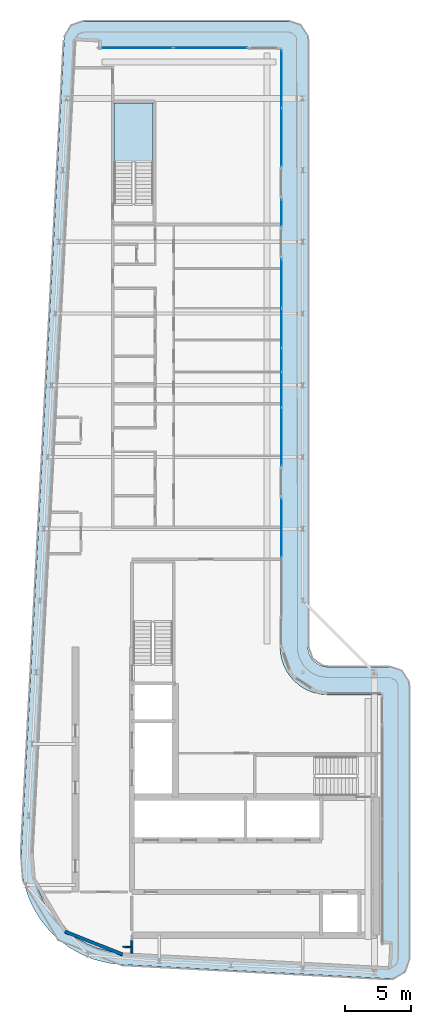
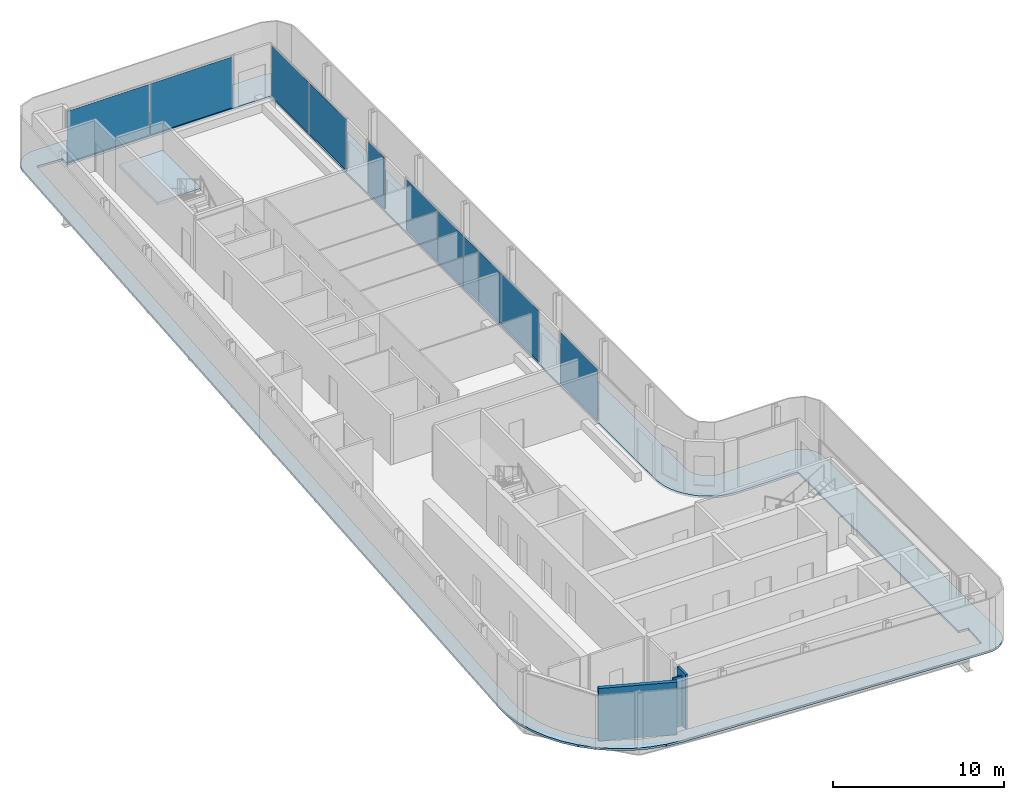
# One storey, part 8 of 19: 11 plates, 3 walls, 2 slabs, 7 elements without a shape of their own.
"""IFC4 building model written with IfcOpenShell, lengths in metres."""

from ifc_helpers import new_model, si_unit, direction, frame, frame_2d, origin, origin_2d, place, context, subcontext, project, spatial, polyline, rectangle, outline, extrude, material, layer, layer_set, type_object, element, aggregate, save


model = new_model("IFC4")

# Units and contexts
model_context = context("Model", 3, precision=1e-05, world=origin(), true_north=direction((0.0, 1.0)))
body_context = subcontext(model_context, "Body", "Model", "MODEL_VIEW")
ifc_project = project(units=[si_unit("LENGTHUNIT", "METRE"), si_unit("AREAUNIT", "SQUARE_METRE"), si_unit("VOLUMEUNIT", "CUBIC_METRE"), si_unit("PLANEANGLEUNIT", "RADIAN"), si_unit("MASSUNIT", "GRAM", prefix="KILO")], contexts=[model_context])

# Site, building, storey
site_placement = place(None, origin())
site = spatial("IfcSite", under=ifc_project, at=site_placement, CompositionType="ELEMENT")
building_placement = place(site_placement, origin())
building = spatial("IfcBuilding", under=site, at=building_placement, Name="Kheshtan School and Residences Tower", CompositionType="ELEMENT")
storey_placement = place(building_placement, frame((0.0, 0.0, 353.89990234375)))
storey = spatial("IfcBuildingStorey", under=building, at=storey_placement, Name="L83", CompositionType="ELEMENT", Elevation=353.89990234375)

# Curtain wall, plates
ifc_material_1 = material(Name="Clear low-e glass in thermally broken aluminium frame", Category="aluminium")
ifc_layer_1 = layer(ifc_material_1, 0.199951171875)
ifc_layer_set_1 = layer_set([ifc_layer_1], Name="Curtain wall CW-L")
curtain_wall_type = type_object("IfcCurtainWallType", Name="Curtain wall CW-L", PredefinedType="NOTDEFINED", material=ifc_layer_set_1)
curtain_wall_1_placement = place(storey_placement, origin())
curtain_wall_1 = element("IfcCurtainWall", 1, at=curtain_wall_1_placement, inside=storey, type_object=curtain_wall_type, Name="Curtain wall CWL3a", PredefinedType="NOTDEFINED")
ifc_layer_2 = layer(ifc_material_1, 0.031982421875)
ifc_layer_set_2 = layer_set([ifc_layer_2], Name="CW-L glass panel")
plate_type = type_object("IfcPlateType", Name="CW-L glass panel", PredefinedType="CURTAIN_PANEL", material=ifc_layer_set_2)
plate_1_placement = place(storey_placement, frame((35.0458984375, 92.60009765625, 0.000244140625), z_axis=(0.0, 0.0, 1.0), x_axis=(1.0, 0.0, 0.0)))
plate_1 = element("IfcPlate", 2, at=plate_1_placement, type_object=plate_type, Name="CWL3a panel 1.1", PredefinedType="CURTAIN_PANEL", context=body_context, shape_type="SweptSolid", body=[
    extrude(rectangle(XDim=5.555908203125, YDim=0.031982421875, at=origin_2d()), origin(), (0.0, 0.0, 1.0), 3.6298828125),
])
plate_2_placement = place(storey_placement, frame((40.662109375, 92.60009765625, 0.000244140625), z_axis=(0.0, 0.0, 1.0), x_axis=(1.0, 0.0, 0.0)))
plate_2 = element("IfcPlate", 3, at=plate_2_placement, type_object=plate_type, Name="CWL3a panel 2.1", PredefinedType="CURTAIN_PANEL", context=body_context, shape_type="SweptSolid", body=[
    extrude(rectangle(XDim=5.555908203125, YDim=0.031982421875, at=origin_2d()), origin(), (0.0, 0.0, 1.0), 3.6298828125),
])
aggregate(curtain_wall_1, [plate_1, plate_2])

curtain_wall_2_placement = place(storey_placement, origin())
curtain_wall_2 = element("IfcCurtainWall", 4, at=curtain_wall_2_placement, inside=storey, type_object=curtain_wall_type, Name="Curtain wall CWL4b", PredefinedType="NOTDEFINED")
plate_3_placement = place(storey_placement, frame((46.0, 90.26806640625, 0.000244140625), z_axis=(0.0, 0.0, 1.0), x_axis=(0.0, -1.0, 0.0)))
plate_3 = element("IfcPlate", 5, at=plate_3_placement, type_object=plate_type, Name="CWL4b panel 1.1", PredefinedType="CURTAIN_PANEL", context=body_context, shape_type="SweptSolid", body=[
    extrude(rectangle(XDim=4.34375, YDim=0.031982421875, at=origin_2d()), origin(), (0.0, 0.0, 1.0), 3.6298828125),
])
plate_4_placement = place(storey_placement, frame((46.0, 85.8642578125, 0.000244140625), z_axis=(0.0, 0.0, 1.0), x_axis=(0.0, -1.0, 0.0)))
plate_4 = element("IfcPlate", 6, at=plate_4_placement, type_object=plate_type, Name="CWL4b panel 2.1", PredefinedType="CURTAIN_PANEL", context=body_context, shape_type="SweptSolid", body=[
    extrude(rectangle(XDim=4.34375, YDim=0.031982421875, at=origin_2d()), origin(), (0.0, 0.0, 1.0), 3.6298828125),
])
aggregate(curtain_wall_2, [plate_3, plate_4])

# Curtain wall, plate
curtain_wall_3_placement = place(storey_placement, origin())
curtain_wall_3 = element("IfcCurtainWall", 7, at=curtain_wall_3_placement, inside=storey, type_object=curtain_wall_type, Name="Curtain wall CWL4c", PredefinedType="NOTDEFINED")
plate_5_placement = place(storey_placement, frame((46.0, 80.1826171875, 0.000244140625), z_axis=(0.0, 0.0, 1.0), x_axis=(0.0, -1.0, 0.0)))
plate_5 = element("IfcPlate", 8, at=plate_5_placement, type_object=plate_type, Name="CWL4c panel 1.1", PredefinedType="CURTAIN_PANEL", context=body_context, shape_type="SweptSolid", body=[
    extrude(rectangle(XDim=1.97998046875, YDim=0.031982421875, at=origin_2d()), origin(), (0.0, 0.0, 1.0), 3.6298828125),
])
aggregate(curtain_wall_3, [plate_5])

# Curtain wall, plates
curtain_wall_4_placement = place(storey_placement, origin())
curtain_wall_4 = element("IfcCurtainWall", 9, at=curtain_wall_4_placement, inside=storey, type_object=curtain_wall_type, Name="Curtain wall CWL4l", PredefinedType="NOTDEFINED")
plate_6_placement = place(storey_placement, frame((46.0, 74.851318359375, 0.000244140625), z_axis=(0.0, 0.0, 1.0), x_axis=(0.0, -1.0, 0.0)))
plate_6 = element("IfcPlate", 10, at=plate_6_placement, type_object=plate_type, Name="CWL4l panel 1.1", PredefinedType="CURTAIN_PANEL", context=body_context, shape_type="SweptSolid", body=[
    extrude(rectangle(XDim=3.642578125, YDim=0.031982421875, at=origin_2d()), origin(), (0.0, 0.0, 1.0), 3.6298828125),
])
plate_7_placement = place(storey_placement, frame((46.0, 71.49755859375, 0.000244140625), z_axis=(0.0, 0.0, 1.0), x_axis=(0.0, -1.0, 0.0)))
plate_7 = element("IfcPlate", 11, at=plate_7_placement, type_object=plate_type, Name="CWL4l panel 2.1", PredefinedType="CURTAIN_PANEL", context=body_context, shape_type="SweptSolid", body=[
    extrude(rectangle(XDim=2.945068359375, YDim=0.031982421875, at=origin_2d()), origin(), (0.0, 0.0, 1.0), 3.6298828125),
])
aggregate(curtain_wall_4, [plate_6, plate_7])

curtain_wall_5_placement = place(storey_placement, origin())
curtain_wall_5 = element("IfcCurtainWall", 12, at=curtain_wall_5_placement, inside=storey, type_object=curtain_wall_type, Name="Curtain wall CWL4n", PredefinedType="NOTDEFINED")
plate_8_placement = place(storey_placement, frame((46.0, 69.097412109375, 0.000244140625), z_axis=(0.0, 0.0, 1.0), x_axis=(0.0, -1.0, 0.0)))
plate_8 = element("IfcPlate", 13, at=plate_8_placement, type_object=plate_type, Name="CWL4n panel 1.1", PredefinedType="CURTAIN_PANEL", context=body_context, shape_type="SweptSolid", body=[
    extrude(rectangle(XDim=1.735107421875, YDim=0.031982421875, at=origin_2d()), origin(), (0.0, 0.0, 1.0), 3.6298828125),
])
plate_9_placement = place(storey_placement, frame((46.0, 66.86572265625, 0.000244140625), z_axis=(0.0, 0.0, 1.0), x_axis=(0.0, -1.0, 0.0)))
plate_9 = element("IfcPlate", 14, at=plate_9_placement, type_object=plate_type, Name="CWL4n panel 2.1", PredefinedType="CURTAIN_PANEL", context=body_context, shape_type="SweptSolid", body=[
    extrude(rectangle(XDim=2.608642578125, YDim=0.031982421875, at=origin_2d()), origin(), (0.0, 0.0, 1.0), 3.6298828125),
])
plate_10_placement = place(storey_placement, frame((46.0, 63.329345703125, 0.000244140625), z_axis=(0.0, 0.0, 1.0), x_axis=(0.0, -1.0, 0.0)))
plate_10 = element("IfcPlate", 15, at=plate_10_placement, type_object=plate_type, Name="CWL4n panel 3.1", PredefinedType="CURTAIN_PANEL", context=body_context, shape_type="SweptSolid", body=[
    extrude(rectangle(XDim=4.34375, YDim=0.031982421875, at=origin_2d()), origin(), (0.0, 0.0, 1.0), 3.6298828125),
])
aggregate(curtain_wall_5, [plate_8, plate_9, plate_10])

# Curtain wall, plate
curtain_wall_6_placement = place(storey_placement, origin())
curtain_wall_6 = element("IfcCurtainWall", 16, at=curtain_wall_6_placement, inside=storey, type_object=curtain_wall_type, Name="Curtain wall CWL4b", PredefinedType="NOTDEFINED")
plate_11_placement = place(storey_placement, frame((46.0, 56.465576171875, 0.000244140625), z_axis=(0.0, 0.0, 1.0), x_axis=(0.0, -1.0, 0.0)))
plate_11 = element("IfcPlate", 17, at=plate_11_placement, type_object=plate_type, Name="CWL4b panel 1.1", PredefinedType="CURTAIN_PANEL", context=body_context, shape_type="SweptSolid", body=[
    extrude(rectangle(XDim=4.34375, YDim=0.031982421875, at=origin_2d()), origin(), (0.0, 0.0, 1.0), 3.6298828125),
])
aggregate(curtain_wall_6, [plate_11])

# Slab
ifc_material_2 = material(Name="Concrete C40/50", Category="concrete")
ifc_layer_3 = layer(ifc_material_2, 0.14990234375)
ifc_layer_set_3 = layer_set([ifc_layer_3], Name="Loggia balcony slab 150 Concrete C40/50")
slab_type_1 = type_object("IfcSlabType", Name="Loggia balcony slab 150 Concrete C40/50", PredefinedType="FLOOR", material=ifc_layer_set_3)
slab_1_placement = place(storey_placement, frame((0.0, 0.0, -0.14990234375)))
element("IfcSlab", 18, at=slab_1_placement, inside=storey, type_object=slab_type_1, Name="Loggia balcony slab L83", PredefinedType="FLOOR", context=body_context, shape_type="SweptSolid", body=[
    extrude(outline(polyline([(28.4580078125, 26.222900390625), (28.45703125, 26.222900390625), (28.45703125, 26.22412109375), (28.4560546875, 26.22412109375), (27.81494140625, 27.0390625), (27.281005859375, 27.93798828125), (26.867919921875, 28.89990234375), (26.583984375, 29.89990234375), (26.583984375, 29.906982421875), (26.43408203125, 30.943115234375), (26.419921875, 31.989013671875), (29.64111328125, 93.178955078125), (29.64697265625, 93.22705078125), (29.64697265625, 93.22802734375), (29.64599609375, 93.22802734375), (29.64599609375, 93.22900390625), (29.64501953125, 93.22900390625), (29.64501953125, 93.22998046875), (29.64404296875, 93.22998046875), (29.64404296875, 93.23095703125), (29.64306640625, 93.23095703125), (29.64306640625, 93.23193359375), (29.64306640625, 93.23291015625), (29.660888671875, 93.381103515625), (29.660888671875, 93.384033203125), (29.660888671875, 93.385009765625), (29.662109375, 93.385009765625), (29.662109375, 93.385986328125), (29.6630859375, 93.385986328125), (29.6630859375, 93.386962890625), (29.6640625, 93.386962890625), (29.6650390625, 93.386962890625), (29.6650390625, 93.387939453125), (29.666015625, 93.387939453125), (29.666015625, 93.388916015625), (29.666015625, 93.39111328125), (29.718994140625, 93.583984375), (29.799072265625, 93.77490234375), (29.905029296875, 93.952880859375), (30.027099609375, 94.10693359375), (30.028076171875, 94.10693359375), (30.028076171875, 94.10791015625), (30.029052734375, 94.10791015625), (30.029052734375, 94.10888671875), (30.030029296875, 94.10888671875), (30.030029296875, 94.110107421875), (30.031005859375, 94.110107421875), (30.031005859375, 94.111083984375), (30.031982421875, 94.111083984375), (30.031982421875, 94.112060546875), (30.032958984375, 94.112060546875), (30.032958984375, 94.113037109375), (30.033935546875, 94.113037109375), (30.035888671875, 94.113037109375), (30.037109375, 94.113037109375), (30.037109375, 94.114013671875), (30.18408203125, 94.257080078125), (30.18505859375, 94.257080078125), (30.18505859375, 94.258056640625), (30.18603515625, 94.258056640625), (30.18603515625, 94.259033203125), (30.18701171875, 94.259033203125), (30.18701171875, 94.260009765625), (30.18798828125, 94.260009765625), (30.18798828125, 94.260986328125), (30.18896484375, 94.260986328125), (30.18896484375, 94.261962890625), (30.18994140625, 94.261962890625), (30.18994140625, 94.262939453125), (30.19091796875, 94.262939453125), (30.19091796875, 94.263916015625), (30.35205078125, 94.376953125), (30.534912109375, 94.472900390625), (30.722900390625, 94.54296875), (30.72998046875, 94.54296875), (30.93310546875, 94.5859375), (31.138916015625, 94.60009765625), (46.5, 94.60009765625), (46.696044921875, 94.5869140625), (46.887939453125, 94.549072265625), (46.89501953125, 94.549072265625), (47.073974609375, 94.486083984375), (47.242919921875, 94.40087890625), (47.243896484375, 94.40087890625), (47.2470703125, 94.40087890625), (47.248046875, 94.40087890625), (47.248046875, 94.402099609375), (47.2490234375, 94.402099609375), (47.2490234375, 94.403076171875), (47.25, 94.403076171875), (47.2529296875, 94.403076171875), (47.25390625, 94.403076171875), (47.25390625, 94.402099609375), (47.2548828125, 94.402099609375), (47.2548828125, 94.40087890625), (47.256103515625, 94.40087890625), (47.256103515625, 94.39990234375), (47.257080078125, 94.39990234375), (47.257080078125, 94.39892578125), (47.258056640625, 94.39892578125), (47.258056640625, 94.39794921875), (47.412109375, 94.2958984375), (47.4130859375, 94.2958984375), (47.4130859375, 94.294921875), (47.4140625, 94.294921875), (47.4140625, 94.2939453125), (47.4140625, 94.2900390625), (47.4140625, 94.2890625), (47.4150390625, 94.2890625), (47.4150390625, 94.2880859375), (47.416015625, 94.2880859375), (47.416015625, 94.287109375), (47.4169921875, 94.287109375), (47.4169921875, 94.285888671875), (47.554931640625, 94.16796875), (47.554931640625, 94.1669921875), (47.555908203125, 94.1669921875), (47.555908203125, 94.166015625), (47.556884765625, 94.166015625), (47.556884765625, 94.1650390625), (47.55810546875, 94.1650390625), (47.55810546875, 94.1640625), (47.55908203125, 94.1640625), (47.55908203125, 94.1630859375), (47.56005859375, 94.1630859375), (47.56005859375, 94.162109375), (47.56103515625, 94.162109375), (47.56201171875, 94.160888671875), (47.56201171875, 94.159912109375), (47.56298828125, 94.159912109375), (47.56298828125, 94.158935546875), (47.56396484375, 94.158935546875), (47.56396484375, 94.157958984375), (47.56494140625, 94.157958984375), (47.56494140625, 94.156982421875), (47.56591796875, 94.156982421875), (47.56591796875, 94.156005859375), (47.56689453125, 94.156005859375), (47.56689453125, 94.155029296875), (47.568115234375, 94.155029296875), (47.68505859375, 94.01806640625), (47.68603515625, 94.01806640625), (47.68603515625, 94.01708984375), (47.68701171875, 94.01708984375), (47.68701171875, 94.01611328125), (47.68798828125, 94.01611328125), (47.68798828125, 94.014892578125), (47.68896484375, 94.014892578125), (47.68896484375, 94.013916015625), (47.68994140625, 94.013916015625), (47.694091796875, 94.013916015625), (47.695068359375, 94.013916015625), (47.695068359375, 94.012939453125), (47.696044921875, 94.012939453125), (47.696044921875, 94.011962890625), (47.797119140625, 93.85888671875), (47.798095703125, 93.85888671875), (47.798095703125, 93.85791015625), (47.799072265625, 93.85791015625), (47.799072265625, 93.85693359375), (47.800048828125, 93.85693359375), (47.800048828125, 93.85595703125), (47.801025390625, 93.85595703125), (47.801025390625, 93.85498046875), (47.802001953125, 93.85498046875), (47.802001953125, 93.85400390625), (47.802978515625, 93.85400390625), (47.802978515625, 93.85302734375), (47.802978515625, 93.85009765625), (47.802978515625, 93.84912109375), (47.802001953125, 93.84912109375), (47.802001953125, 93.847900390625), (47.801025390625, 93.847900390625), (47.801025390625, 93.846923828125), (47.801025390625, 93.843994140625), (47.801025390625, 93.843017578125), (47.885986328125, 93.674072265625), (47.948974609375, 93.4951171875), (47.948974609375, 93.488037109375), (47.987060546875, 93.2958984375), (48.0, 93.10009765625), (48.0, 47.5), (48.012939453125, 47.303955078125), (48.051025390625, 47.113037109375), (48.051025390625, 47.10693359375), (48.051025390625, 47.10595703125), (48.114013671875, 46.926025390625), (48.200927734375, 46.75), (48.31005859375, 46.5869140625), (48.431884765625, 46.444091796875), (48.43310546875, 46.444091796875), (48.43310546875, 46.443115234375), (48.43408203125, 46.443115234375), (48.43408203125, 46.44189453125), (48.43505859375, 46.44189453125), (48.43505859375, 46.44091796875), (48.43603515625, 46.44091796875), (48.43603515625, 46.43994140625), (48.43701171875, 46.43994140625), (48.43701171875, 46.43896484375), (48.43798828125, 46.43896484375), (48.43896484375, 46.43798828125), (48.43896484375, 46.43701171875), (48.43994140625, 46.43701171875), (48.43994140625, 46.43603515625), (48.44091796875, 46.43603515625), (48.44091796875, 46.43505859375), (48.44189453125, 46.43505859375), (48.44189453125, 46.43408203125), (48.443115234375, 46.43408203125), (48.443115234375, 46.43310546875), (48.444091796875, 46.43310546875), (48.444091796875, 46.431884765625), (48.5869140625, 46.31005859375), (48.75, 46.200927734375), (48.926025390625, 46.114013671875), (49.10595703125, 46.051025390625), (49.10693359375, 46.051025390625), (49.113037109375, 46.051025390625), (49.303955078125, 46.012939453125), (49.5, 46.0), (54.10009765625, 46.0), (54.2958984375, 45.987060546875), (54.488037109375, 45.948974609375), (54.4951171875, 45.948974609375), (54.674072265625, 45.885986328125), (54.842041015625, 45.801025390625), (54.843017578125, 45.801025390625), (54.846923828125, 45.801025390625), (54.847900390625, 45.801025390625), (54.847900390625, 45.802001953125), (54.84912109375, 45.802001953125), (54.84912109375, 45.802978515625), (54.85009765625, 45.802978515625), (54.85302734375, 45.802978515625), (54.85400390625, 45.802978515625), (54.85400390625, 45.802001953125), (54.85498046875, 45.802001953125), (54.85498046875, 45.801025390625), (54.85595703125, 45.801025390625), (54.85595703125, 45.800048828125), (54.85693359375, 45.800048828125), (54.85693359375, 45.799072265625), (54.85791015625, 45.799072265625), (54.85791015625, 45.798095703125), (54.85888671875, 45.798095703125), (54.85888671875, 45.797119140625), (54.860107421875, 45.797119140625), (54.860107421875, 45.7958984375), (55.011962890625, 45.696044921875), (55.012939453125, 45.696044921875), (55.012939453125, 45.695068359375), (55.013916015625, 45.695068359375), (55.013916015625, 45.694091796875), (55.013916015625, 45.68994140625), (55.013916015625, 45.68896484375), (55.014892578125, 45.68896484375), (55.014892578125, 45.68798828125), (55.01611328125, 45.68798828125), (55.01611328125, 45.68701171875), (55.01708984375, 45.68701171875), (55.01708984375, 45.68603515625), (55.01806640625, 45.68603515625), (55.01806640625, 45.68505859375), (55.01904296875, 45.68505859375), (55.01904296875, 45.68408203125), (55.155029296875, 45.568115234375), (55.155029296875, 45.56689453125), (55.156005859375, 45.56689453125), (55.156005859375, 45.56591796875), (55.156982421875, 45.56591796875), (55.156982421875, 45.56494140625), (55.157958984375, 45.56494140625), (55.157958984375, 45.56396484375), (55.158935546875, 45.56396484375), (55.158935546875, 45.56298828125), (55.159912109375, 45.56298828125), (55.159912109375, 45.56201171875), (55.160888671875, 45.56201171875), (55.162109375, 45.56103515625), (55.162109375, 45.56005859375), (55.1630859375, 45.56005859375), (55.1630859375, 45.55908203125), (55.1640625, 45.55908203125), (55.1640625, 45.55810546875), (55.1650390625, 45.55810546875), (55.1650390625, 45.556884765625), (55.166015625, 45.556884765625), (55.166015625, 45.555908203125), (55.1669921875, 45.555908203125), (55.1669921875, 45.554931640625), (55.16796875, 45.554931640625), (55.281982421875, 45.4208984375), (55.282958984375, 45.4208984375), (55.282958984375, 45.419921875), (55.283935546875, 45.419921875), (55.283935546875, 45.4189453125), (55.284912109375, 45.4189453125), (55.284912109375, 45.41796875), (55.285888671875, 45.41796875), (55.285888671875, 45.4169921875), (55.287109375, 45.4169921875), (55.287109375, 45.416015625), (55.2880859375, 45.416015625), (55.2880859375, 45.4150390625), (55.2890625, 45.4150390625), (55.2890625, 45.4140625), (55.2900390625, 45.4140625), (55.2939453125, 45.4140625), (55.294921875, 45.4140625), (55.294921875, 45.4130859375), (55.2958984375, 45.4130859375), (55.2958984375, 45.412109375), (55.39404296875, 45.261962890625), (55.39501953125, 45.261962890625), (55.39501953125, 45.260986328125), (55.39599609375, 45.260986328125), (55.39599609375, 45.260009765625), (55.39697265625, 45.260009765625), (55.39697265625, 45.259033203125), (55.39794921875, 45.259033203125), (55.39794921875, 45.258056640625), (55.39892578125, 45.258056640625), (55.39892578125, 45.257080078125), (55.39990234375, 45.257080078125), (55.39990234375, 45.256103515625), (55.40087890625, 45.256103515625), (55.40087890625, 45.2548828125), (55.402099609375, 45.2548828125), (55.402099609375, 45.25390625), (55.403076171875, 45.25390625), (55.403076171875, 45.2529296875), (55.403076171875, 45.25), (55.403076171875, 45.2490234375), (55.402099609375, 45.2490234375), (55.402099609375, 45.248046875), (55.40087890625, 45.248046875), (55.40087890625, 45.2470703125), (55.40087890625, 45.240966796875), (55.40087890625, 45.239990234375), (55.486083984375, 45.073974609375), (55.549072265625, 44.89501953125), (55.549072265625, 44.887939453125), (55.5869140625, 44.696044921875), (55.60009765625, 44.5), (55.60009765625, 24.02294921875), (55.5859375, 23.821044921875), (55.544921875, 23.6220703125), (55.544921875, 23.614990234375), (55.47802734375, 23.430908203125), (55.385986328125, 23.25), (55.27099609375, 23.0849609375), (55.27099609375, 23.083984375), (55.27099609375, 23.0830078125), (55.27099609375, 23.08203125), (55.27197265625, 23.08203125), (55.27197265625, 23.0810546875), (55.27197265625, 23.0791015625), (55.27197265625, 23.077880859375), (55.27099609375, 23.077880859375), (55.27099609375, 23.076904296875), (55.137939453125, 22.93408203125), (55.135009765625, 22.930908203125), (55.134033203125, 22.930908203125), (55.134033203125, 22.929931640625), (55.133056640625, 22.929931640625), (55.131103515625, 22.929931640625), (55.1298828125, 22.929931640625), (55.1298828125, 22.930908203125), (55.12890625, 22.930908203125), (55.1279296875, 22.930908203125), (55.126953125, 22.930908203125), (54.97607421875, 22.805908203125), (54.803955078125, 22.698974609375), (54.618896484375, 22.615966796875), (54.430908203125, 22.55908203125), (54.424072265625, 22.55908203125), (54.22412109375, 22.528076171875), (54.02099609375, 22.52490234375), (33.989013671875, 23.580078125), (33.94189453125, 23.5859375), (33.94091796875, 23.5859375), (33.93994140625, 23.5859375), (33.93994140625, 23.5849609375), (33.93896484375, 23.5849609375), (33.93896484375, 23.583984375), (33.93798828125, 23.583984375), (33.93798828125, 23.5830078125), (33.93701171875, 23.5830078125), (33.93701171875, 23.58203125), (33.93603515625, 23.58203125), (33.93505859375, 23.58203125), (32.952880859375, 23.697998046875), (32.949951171875, 23.697998046875), (32.948974609375, 23.697998046875), (32.948974609375, 23.698974609375), (32.947998046875, 23.698974609375), (32.947998046875, 23.699951171875), (32.947021484375, 23.699951171875), (32.947021484375, 23.700927734375), (32.947021484375, 23.702880859375), (32.947021484375, 23.7041015625), (32.946044921875, 23.7041015625), (32.946044921875, 23.705078125), (32.945068359375, 23.705078125), (32.944091796875, 23.705078125), (31.93603515625, 23.9609375), (31.928955078125, 23.9609375), (30.964111328125, 24.34912109375), (30.051025390625, 24.860107421875), (29.218994140625, 25.47900390625), (29.218994140625, 25.47998046875), (29.218017578125, 25.47998046875), (29.218017578125, 25.48095703125), (29.217041015625, 25.48095703125), (29.217041015625, 25.48193359375), (29.216064453125, 25.48193359375), (29.216064453125, 25.48291015625), (29.215087890625, 25.48291015625), (29.215087890625, 25.48388671875), (29.214111328125, 25.48388671875), (29.214111328125, 25.485107421875), (29.212890625, 25.485107421875), (29.212890625, 25.486083984375), (29.2119140625, 25.486083984375), (28.466064453125, 26.217041015625), (28.466064453125, 26.218017578125), (28.465087890625, 26.218017578125), (28.462890625, 26.218017578125), (28.4619140625, 26.218017578125), (28.4619140625, 26.218994140625), (28.4609375, 26.218994140625), (28.4609375, 26.219970703125), (28.4599609375, 26.219970703125), (28.4599609375, 26.220947265625), (28.458984375, 26.220947265625), (28.458984375, 26.221923828125), (28.4580078125, 26.221923828125), (28.4580078125, 26.222900390625)]), holes=[polyline([(27.466064453125, 30.0869140625), (27.718017578125, 29.200927734375), (28.0849609375, 28.345947265625), (28.55908203125, 27.550048828125), (29.126953125, 26.825927734375), (29.1279296875, 26.825927734375), (29.1279296875, 26.824951171875), (29.12890625, 26.824951171875), (29.12890625, 26.823974609375), (29.1298828125, 26.823974609375), (29.1298828125, 26.822998046875), (29.131103515625, 26.822998046875), (29.131103515625, 26.822021484375), (29.132080078125, 26.822021484375), (29.132080078125, 26.821044921875), (29.133056640625, 26.821044921875), (29.133056640625, 26.820068359375), (29.134033203125, 26.820068359375), (29.794921875, 26.173095703125), (29.794921875, 26.172119140625), (29.7958984375, 26.172119140625), (29.798095703125, 26.172119140625), (29.799072265625, 26.172119140625), (29.799072265625, 26.1708984375), (29.800048828125, 26.1708984375), (29.800048828125, 26.169921875), (29.801025390625, 26.169921875), (29.801025390625, 26.1689453125), (29.802001953125, 26.1689453125), (29.802001953125, 26.16796875), (29.802978515625, 26.16796875), (29.802978515625, 26.1669921875), (29.803955078125, 26.1669921875), (29.803955078125, 26.166015625), (30.541015625, 25.616943359375), (31.35205078125, 25.1630859375), (32.208984375, 24.819091796875), (32.2099609375, 24.819091796875), (32.216064453125, 24.819091796875), (33.114990234375, 24.590087890625), (34.06591796875, 24.47705078125), (54.0380859375, 23.425048828125), (54.06494140625, 23.426025390625), (54.06591796875, 23.426025390625), (54.06689453125, 23.426025390625), (54.06689453125, 23.427001953125), (54.068115234375, 23.427001953125), (54.068115234375, 23.427978515625), (54.068115234375, 23.428955078125), (54.157958984375, 25.117919921875), (54.157958984375, 25.118896484375), (54.157958984375, 25.1201171875), (54.156982421875, 25.1201171875), (54.156982421875, 25.12109375), (54.156005859375, 25.12109375), (54.155029296875, 25.12109375), (53.5009765625, 25.156005859375), (53.5, 25.156005859375), (53.5, 25.156982421875), (53.5, 43.89794921875), (53.5, 43.89892578125), (53.4990234375, 43.89892578125), (53.4990234375, 43.89990234375), (53.498046875, 43.89990234375), (49.429931640625, 43.89990234375), (49.030029296875, 43.927001953125), (48.569091796875, 44.01806640625), (48.56201171875, 44.01806640625), (48.1201171875, 44.169921875), (47.697021484375, 44.37890625), (47.30810546875, 44.638916015625), (46.95703125, 44.944091796875), (46.95703125, 44.945068359375), (46.9560546875, 44.945068359375), (46.9560546875, 44.946044921875), (46.955078125, 44.946044921875), (46.955078125, 44.947021484375), (46.9541015625, 44.947021484375), (46.9541015625, 44.947998046875), (46.952880859375, 44.947998046875), (46.952880859375, 44.948974609375), (46.951904296875, 44.948974609375), (46.951904296875, 44.949951171875), (46.951904296875, 44.950927734375), (46.950927734375, 44.950927734375), (46.950927734375, 44.951904296875), (46.949951171875, 44.951904296875), (46.948974609375, 44.951904296875), (46.948974609375, 44.952880859375), (46.947998046875, 44.952880859375), (46.947998046875, 44.9541015625), (46.947021484375, 44.9541015625), (46.947021484375, 44.955078125), (46.946044921875, 44.955078125), (46.946044921875, 44.9560546875), (46.945068359375, 44.9560546875), (46.945068359375, 44.95703125), (46.944091796875, 44.95703125), (46.638916015625, 45.30810546875), (46.37890625, 45.697021484375), (46.169921875, 46.1201171875), (46.01806640625, 46.56201171875), (46.01806640625, 46.569091796875), (45.927001953125, 47.030029296875), (45.89990234375, 47.429931640625), (45.89990234375, 92.498046875), (45.89990234375, 92.4990234375), (45.89892578125, 92.4990234375), (45.89892578125, 92.5), (45.89794921875, 92.5), (32.208984375, 92.5), (32.2080078125, 92.5), (32.237060546875, 93.0390625), (32.237060546875, 93.0400390625), (32.237060546875, 93.041015625), (32.236083984375, 93.041015625), (32.236083984375, 93.0419921875), (32.235107421875, 93.0419921875), (32.23388671875, 93.0419921875), (30.544921875, 93.132080078125), (30.5439453125, 93.132080078125), (30.54296875, 93.132080078125), (30.54296875, 93.131103515625), (30.5419921875, 93.131103515625), (30.5419921875, 93.1298828125), (30.5419921875, 93.12890625), (30.5380859375, 93.10107421875), (27.320068359375, 31.970947265625), (27.3330078125, 31.013916015625), (27.466064453125, 30.093994140625), (27.466064453125, 30.087890625), (27.466064453125, 30.0869140625)])]), origin(), (0.0, 0.0, 1.0), 0.14990234375),
])

# Stair, slab
stair_type = type_object("IfcStairType", Name="Exit stair, half-turn", PredefinedType="HALF_TURN_STAIR", material=ifc_material_2)
stair_placement = place(storey_placement, origin())
stair = element("IfcStair", 19, at=stair_placement, inside=storey, type_object=stair_type, Name="L83 Protected Exit Stair ST3", PredefinedType="HALF_TURN_STAIR")
ifc_layer_4 = layer(ifc_material_2, 0.199951171875)
ifc_layer_set_4 = layer_set([ifc_layer_4], Name="Stair landing 200 Concrete C40/50")
slab_type_2 = type_object("IfcSlabType", Name="Stair landing 200 Concrete C40/50", PredefinedType="LANDING", material=ifc_layer_set_4)
slab_2_placement = place(storey_placement, frame((0.0, 0.0, 1.75)))
slab_2 = element("IfcSlab", 20, at=slab_2_placement, type_object=slab_type_2, Name="ST3 landing 1", PredefinedType="LANDING", context=body_context, shape_type="SweptSolid", body=[
    extrude(outline(polyline([(36.35009765625, 83.97998046875), (36.35009765625, 88.4599609375), (33.39990234375, 88.4599609375), (33.39990234375, 83.97998046875), (36.35009765625, 83.97998046875)])), origin(), (0.0, 0.0, 1.0), 0.2001953125),
])
aggregate(stair, [slab_2])

# Walls
ifc_material_3 = material(Name="Concrete C40/50 with ceramic cladding and mineral wool insulation", Category="concrete")
ifc_layer_5 = layer(ifc_material_3, 0.25)
ifc_layer_set_5 = layer_set([ifc_layer_5], Name="External wall 250 ceramic clad")
wall_type_1 = type_object("IfcWallType", Name="External wall 250 ceramic clad", PredefinedType="SOLIDWALL", material=ifc_layer_set_5)
wall_1_placement = place(storey_placement, frame((34.0390625, 24.35302734375, 0.0), z_axis=(0.0, 0.0, 1.0), x_axis=(-0.929352825399, 0.369192803184, 0.0)))
element("IfcWall", 21, at=wall_1_placement, inside=storey, type_object=wall_type_1, Name="External wall L83 13", PredefinedType="SOLIDWALL", context=body_context, shape_type="SweptSolid", body=[
    extrude(rectangle(XDim=4.656005859375, YDim=0.25, at=frame_2d((2.328125, 0.0))), origin(), (0.0, 0.0, 1.0), 3.75),
])
ifc_material_4 = material(Name="Gypsum board on steel studs", Category="steel")
ifc_layer_6 = layer(ifc_material_4, 0.10009765625)
ifc_layer_set_6 = layer_set([ifc_layer_6], Name="Gypsum partition 100")
wall_type_2 = type_object("IfcWallType", Name="Gypsum partition 100", PredefinedType="PARTITIONING", material=ifc_layer_set_6)
wall_2_placement = place(storey_placement, frame((34.06298828125, 24.928955078125, 0.0), z_axis=(0.0, 0.0, 1.0), x_axis=(0.99864189377, -0.052099597007, 0.0)))
element("IfcWall", 22, at=wall_2_placement, inside=storey, type_object=wall_type_2, Name="Partition L83-016", PredefinedType="PARTITIONING", context=body_context, shape_type="SweptSolid", body=[
    extrude(rectangle(XDim=0.61376953125, YDim=0.10009765625, at=frame_2d((0.306884765625, 0.0))), origin(), (0.0, 0.0, 1.0), 3.60009765625),
])
ifc_material_5 = material(Name="Fire-board shaft wall system")
ifc_layer_7 = layer(ifc_material_5, 0.14990234375)
ifc_layer_set_7 = layer_set([ifc_layer_7], Name="Service room wall 150")
wall_type_3 = type_object("IfcWallType", Name="Service room wall 150", PredefinedType="PARTITIONING", material=ifc_layer_set_7)
wall_3_placement = place(storey_placement, frame((34.75, 24.444091796875, 0.0), z_axis=(0.0, 0.0, 1.0), x_axis=(0.0, 1.0, 0.0)))
element("IfcWall", 23, at=wall_3_placement, inside=storey, type_object=wall_type_3, Name="Service room wall", PredefinedType="PARTITIONING", context=body_context, shape_type="SweptSolid", body=[
    extrude(rectangle(XDim=0.98583984375, YDim=0.14990234375, at=frame_2d((0.492919921875, 0.0))), origin(), (0.0, 0.0, 1.0), 3.900146484375),
])

save(model, "model.ifc")
